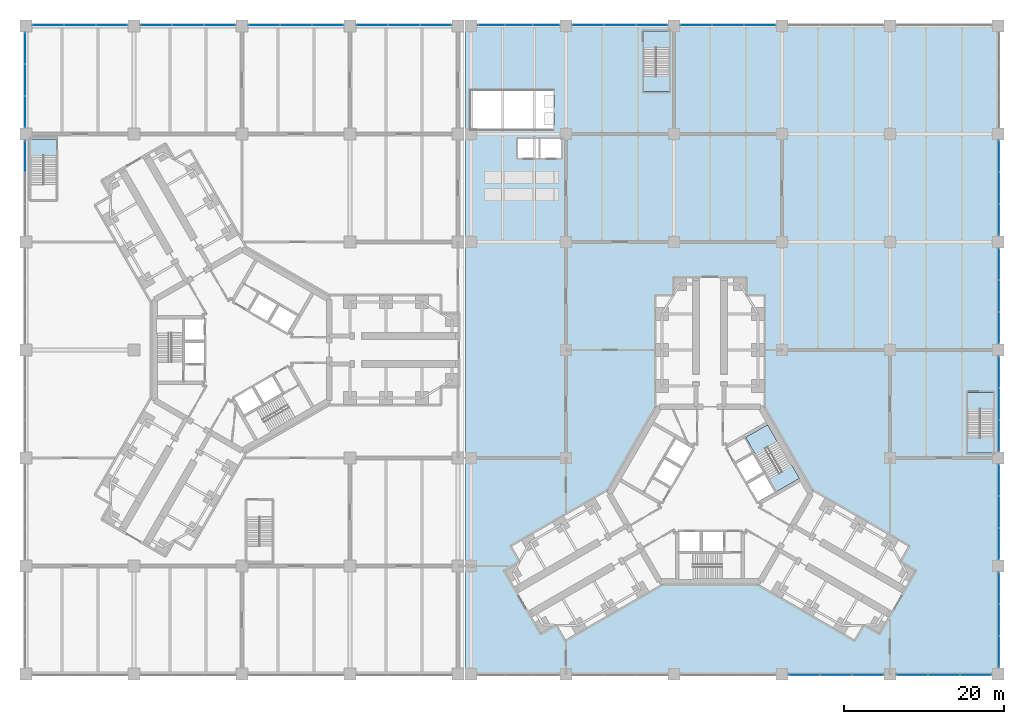
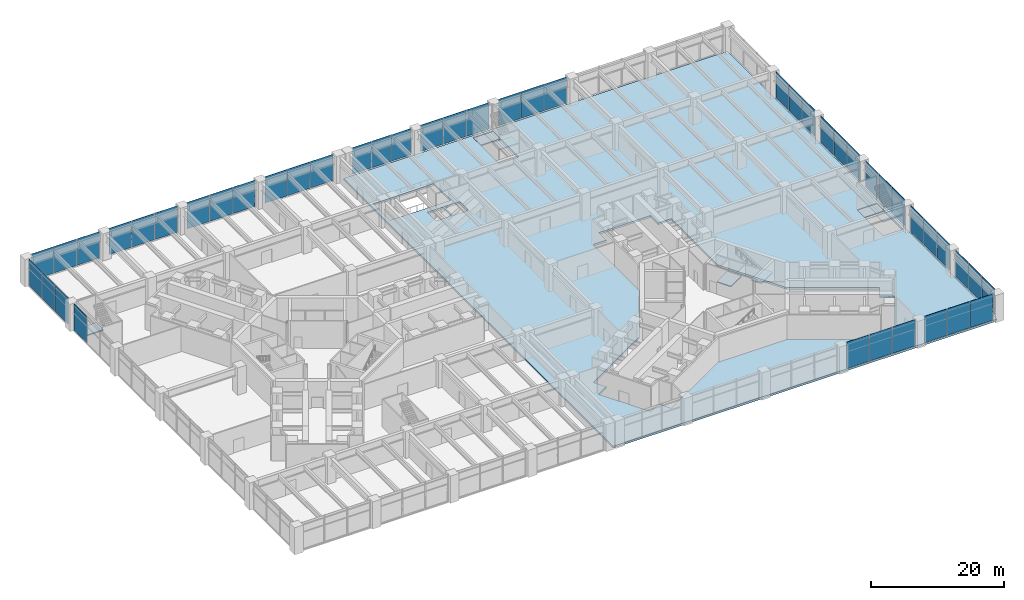
# One storey, part 19 of 32: 46 plates, 8 slabs, 20 elements without a shape of their own.
"""IFC4 building model written with IfcOpenShell, lengths in metres."""

from ifc_helpers import new_model, si_unit, direction, frame, origin, origin_2d, place, context, subcontext, project, spatial, polyline, rectangle, outline, extrude, material, layer, layer_set, type_object, element, aggregate, save


model = new_model("IFC4")

# Units and contexts
model_context = context("Model", 3, precision=1e-05, world=origin(), true_north=direction((0.0, 1.0)))
body_context = subcontext(model_context, "Body", "Model", "MODEL_VIEW")
ifc_project = project(units=[si_unit("LENGTHUNIT", "METRE"), si_unit("AREAUNIT", "SQUARE_METRE"), si_unit("VOLUMEUNIT", "CUBIC_METRE"), si_unit("PLANEANGLEUNIT", "RADIAN"), si_unit("MASSUNIT", "GRAM", prefix="KILO")], contexts=[model_context])

# Site, building, storey
site_placement = place(None, origin())
site = spatial("IfcSite", under=ifc_project, at=site_placement, CompositionType="ELEMENT")
building_placement = place(site_placement, origin())
building = spatial("IfcBuilding", under=site, at=building_placement, Name="Upepo Twin Towers", CompositionType="ELEMENT")
storey_placement = place(building_placement, frame((0.0, 0.0, 10.5)))
storey = spatial("IfcBuildingStorey", under=building, at=storey_placement, Name="L02", CompositionType="ELEMENT", Elevation=10.5)

# Curtain wall, plates
ifc_material_1 = material(Name="Aluminium and clear glass", Category="aluminium")
curtain_wall_type = type_object("IfcCurtainWallType", Name="Podium curtain wall PW1", PredefinedType="NOTDEFINED", material=ifc_material_1)
curtain_wall_1_placement = place(storey_placement, origin())
curtain_wall_1 = element("IfcCurtainWall", 1, at=curtain_wall_1_placement, inside=storey, type_object=curtain_wall_type, Name="Podium L02 curtain wall S8", PredefinedType="NOTDEFINED")
ifc_material_2 = material(Name="Ceramic-fritted laminated glass", Category="glass")
ifc_layer_1 = layer(ifc_material_2, 0.031982421875)
ifc_layer_set_1 = layer_set([ifc_layer_1], Name="Fritted glass panel, 32 mm double glazed")
plate_type_1 = type_object("IfcPlateType", Name="Fritted glass panel, 32 mm double glazed", PredefinedType="CURTAIN_PANEL", material=ifc_layer_set_1)
plate_1_placement = place(storey_placement, frame((70.28955078125, -40.60009765625, 0.14990234375), z_axis=(0.0, 0.0, 1.0), x_axis=(1.0, 0.0, 0.0)))
plate_1 = element("IfcPlate", 2, at=plate_1_placement, type_object=plate_type_1, Name="Podium L02 curtain wall S8 panel 1", PredefinedType="CURTAIN_PANEL", context=body_context, shape_type="SweptSolid", body=[
    extrude(rectangle(XDim=3.879150390625, YDim=0.031982421875, at=origin_2d()), origin(), (0.0, 0.0, 1.0), 4.85009765625),
])
plate_2_placement = place(storey_placement, frame((78.21044921875, -40.60009765625, 0.14990234375), z_axis=(0.0, 0.0, 1.0), x_axis=(1.0, 0.0, 0.0)))
plate_2 = element("IfcPlate", 3, at=plate_2_placement, type_object=plate_type_1, Name="Podium L02 curtain wall S8 panel 3", PredefinedType="CURTAIN_PANEL", context=body_context, shape_type="SweptSolid", body=[
    extrude(rectangle(XDim=3.879150390625, YDim=0.031982421875, at=origin_2d()), origin(), (0.0, 0.0, 1.0), 4.85009765625),
])

curtain_wall_2_placement = place(storey_placement, origin())
curtain_wall_2 = element("IfcCurtainWall", 4, at=curtain_wall_2_placement, inside=storey, type_object=curtain_wall_type, Name="Podium L02 curtain wall S9", PredefinedType="NOTDEFINED")
plate_3_placement = place(storey_placement, frame((83.78955078125, -40.60009765625, 0.14990234375), z_axis=(0.0, 0.0, 1.0), x_axis=(1.0, 0.0, 0.0)))
plate_3 = element("IfcPlate", 5, at=plate_3_placement, type_object=plate_type_1, Name="Podium L02 curtain wall S9 panel 1", PredefinedType="CURTAIN_PANEL", context=body_context, shape_type="SweptSolid", body=[
    extrude(rectangle(XDim=3.879150390625, YDim=0.031982421875, at=origin_2d()), origin(), (0.0, 0.0, 1.0), 4.85009765625),
])
plate_4_placement = place(storey_placement, frame((91.71044921875, -40.60009765625, 0.14990234375), z_axis=(0.0, 0.0, 1.0), x_axis=(1.0, 0.0, 0.0)))
plate_4 = element("IfcPlate", 6, at=plate_4_placement, type_object=plate_type_1, Name="Podium L02 curtain wall S9 panel 3", PredefinedType="CURTAIN_PANEL", context=body_context, shape_type="SweptSolid", body=[
    extrude(rectangle(XDim=3.879150390625, YDim=0.031982421875, at=origin_2d()), origin(), (0.0, 0.0, 1.0), 4.85009765625),
])

curtain_wall_3_placement = place(storey_placement, origin())
curtain_wall_3 = element("IfcCurtainWall", 7, at=curtain_wall_3_placement, inside=storey, type_object=curtain_wall_type, Name="Podium L02 curtain wall E1", PredefinedType="NOTDEFINED")
plate_5_placement = place(storey_placement, frame((94.60009765625, -37.71044921875, 0.14990234375), z_axis=(0.0, 0.0, 1.0), x_axis=(0.0, 1.0, 0.0)))
plate_5 = element("IfcPlate", 8, at=plate_5_placement, type_object=plate_type_1, Name="Podium L02 curtain wall E1 panel 1", PredefinedType="CURTAIN_PANEL", context=body_context, shape_type="SweptSolid", body=[
    extrude(rectangle(XDim=3.879150390625, YDim=0.031982421875, at=origin_2d()), origin(), (0.0, 0.0, 1.0), 4.85009765625),
])
plate_6_placement = place(storey_placement, frame((94.60009765625, -29.78955078125, 0.14990234375), z_axis=(0.0, 0.0, 1.0), x_axis=(0.0, 1.0, 0.0)))
plate_6 = element("IfcPlate", 9, at=plate_6_placement, type_object=plate_type_1, Name="Podium L02 curtain wall E1 panel 3", PredefinedType="CURTAIN_PANEL", context=body_context, shape_type="SweptSolid", body=[
    extrude(rectangle(XDim=3.879150390625, YDim=0.031982421875, at=origin_2d()), origin(), (0.0, 0.0, 1.0), 4.85009765625),
])

curtain_wall_4_placement = place(storey_placement, origin())
curtain_wall_4 = element("IfcCurtainWall", 10, at=curtain_wall_4_placement, inside=storey, type_object=curtain_wall_type, Name="Podium L02 curtain wall E2", PredefinedType="NOTDEFINED")
plate_7_placement = place(storey_placement, frame((94.60009765625, -24.21044921875, 0.14990234375), z_axis=(0.0, 0.0, 1.0), x_axis=(0.0, 1.0, 0.0)))
plate_7 = element("IfcPlate", 11, at=plate_7_placement, type_object=plate_type_1, Name="Podium L02 curtain wall E2 panel 1", PredefinedType="CURTAIN_PANEL", context=body_context, shape_type="SweptSolid", body=[
    extrude(rectangle(XDim=3.879150390625, YDim=0.031982421875, at=origin_2d()), origin(), (0.0, 0.0, 1.0), 4.85009765625),
])
plate_8_placement = place(storey_placement, frame((94.60009765625, -16.28955078125, 0.14990234375), z_axis=(0.0, 0.0, 1.0), x_axis=(0.0, 1.0, 0.0)))
plate_8 = element("IfcPlate", 12, at=plate_8_placement, type_object=plate_type_1, Name="Podium L02 curtain wall E2 panel 3", PredefinedType="CURTAIN_PANEL", context=body_context, shape_type="SweptSolid", body=[
    extrude(rectangle(XDim=3.879150390625, YDim=0.031982421875, at=origin_2d()), origin(), (0.0, 0.0, 1.0), 4.85009765625),
])

curtain_wall_5_placement = place(storey_placement, origin())
curtain_wall_5 = element("IfcCurtainWall", 13, at=curtain_wall_5_placement, inside=storey, type_object=curtain_wall_type, Name="Podium L02 curtain wall E3", PredefinedType="NOTDEFINED")
plate_9_placement = place(storey_placement, frame((94.60009765625, -10.71044921875, 0.14990234375), z_axis=(0.0, 0.0, 1.0), x_axis=(0.0, 1.0, 0.0)))
plate_9 = element("IfcPlate", 14, at=plate_9_placement, type_object=plate_type_1, Name="Podium L02 curtain wall E3 panel 1", PredefinedType="CURTAIN_PANEL", context=body_context, shape_type="SweptSolid", body=[
    extrude(rectangle(XDim=3.879150390625, YDim=0.031982421875, at=origin_2d()), origin(), (0.0, 0.0, 1.0), 4.85009765625),
])
plate_10_placement = place(storey_placement, frame((94.60009765625, -2.78955078125, 0.14990234375), z_axis=(0.0, 0.0, 1.0), x_axis=(0.0, 1.0, 0.0)))
plate_10 = element("IfcPlate", 15, at=plate_10_placement, type_object=plate_type_1, Name="Podium L02 curtain wall E3 panel 3", PredefinedType="CURTAIN_PANEL", context=body_context, shape_type="SweptSolid", body=[
    extrude(rectangle(XDim=3.879150390625, YDim=0.031982421875, at=origin_2d()), origin(), (0.0, 0.0, 1.0), 4.85009765625),
])

curtain_wall_6_placement = place(storey_placement, origin())
curtain_wall_6 = element("IfcCurtainWall", 16, at=curtain_wall_6_placement, inside=storey, type_object=curtain_wall_type, Name="Podium L02 curtain wall E4", PredefinedType="NOTDEFINED")
plate_11_placement = place(storey_placement, frame((94.60009765625, 2.78955078125, 0.14990234375), z_axis=(0.0, 0.0, 1.0), x_axis=(0.0, 1.0, 0.0)))
plate_11 = element("IfcPlate", 17, at=plate_11_placement, type_object=plate_type_1, Name="Podium L02 curtain wall E4 panel 1", PredefinedType="CURTAIN_PANEL", context=body_context, shape_type="SweptSolid", body=[
    extrude(rectangle(XDim=3.879150390625, YDim=0.031982421875, at=origin_2d()), origin(), (0.0, 0.0, 1.0), 4.85009765625),
])
plate_12_placement = place(storey_placement, frame((94.60009765625, 10.71044921875, 0.14990234375), z_axis=(0.0, 0.0, 1.0), x_axis=(0.0, 1.0, 0.0)))
plate_12 = element("IfcPlate", 18, at=plate_12_placement, type_object=plate_type_1, Name="Podium L02 curtain wall E4 panel 3", PredefinedType="CURTAIN_PANEL", context=body_context, shape_type="SweptSolid", body=[
    extrude(rectangle(XDim=3.879150390625, YDim=0.031982421875, at=origin_2d()), origin(), (0.0, 0.0, 1.0), 4.85009765625),
])

curtain_wall_7_placement = place(storey_placement, origin())
curtain_wall_7 = element("IfcCurtainWall", 19, at=curtain_wall_7_placement, inside=storey, type_object=curtain_wall_type, Name="Podium L02 curtain wall E5", PredefinedType="NOTDEFINED")
plate_13_placement = place(storey_placement, frame((94.60009765625, 16.28955078125, 0.14990234375), z_axis=(0.0, 0.0, 1.0), x_axis=(0.0, 1.0, 0.0)))
plate_13 = element("IfcPlate", 20, at=plate_13_placement, type_object=plate_type_1, Name="Podium L02 curtain wall E5 panel 1", PredefinedType="CURTAIN_PANEL", context=body_context, shape_type="SweptSolid", body=[
    extrude(rectangle(XDim=3.879150390625, YDim=0.031982421875, at=origin_2d()), origin(), (0.0, 0.0, 1.0), 4.85009765625),
])
plate_14_placement = place(storey_placement, frame((94.60009765625, 24.21044921875, 0.14990234375), z_axis=(0.0, 0.0, 1.0), x_axis=(0.0, 1.0, 0.0)))
plate_14 = element("IfcPlate", 21, at=plate_14_placement, type_object=plate_type_1, Name="Podium L02 curtain wall E5 panel 3", PredefinedType="CURTAIN_PANEL", context=body_context, shape_type="SweptSolid", body=[
    extrude(rectangle(XDim=3.879150390625, YDim=0.031982421875, at=origin_2d()), origin(), (0.0, 0.0, 1.0), 4.85009765625),
])

curtain_wall_8_placement = place(storey_placement, origin())
curtain_wall_8 = element("IfcCurtainWall", 22, at=curtain_wall_8_placement, inside=storey, type_object=curtain_wall_type, Name="Podium L02 curtain wall N3", PredefinedType="NOTDEFINED")
plate_15_placement = place(storey_placement, frame((64.71044921875, 40.60009765625, 0.14990234375), z_axis=(0.0, 0.0, 1.0), x_axis=(-1.0, 0.0, 0.0)))
plate_15 = element("IfcPlate", 23, at=plate_15_placement, type_object=plate_type_1, Name="Podium L02 curtain wall N3 panel 1", PredefinedType="CURTAIN_PANEL", context=body_context, shape_type="SweptSolid", body=[
    extrude(rectangle(XDim=3.879150390625, YDim=0.031982421875, at=origin_2d()), origin(), (0.0, 0.0, 1.0), 4.85009765625),
])
plate_16_placement = place(storey_placement, frame((56.78955078125, 40.60009765625, 0.14990234375), z_axis=(0.0, 0.0, 1.0), x_axis=(-1.0, 0.0, 0.0)))
plate_16 = element("IfcPlate", 24, at=plate_16_placement, type_object=plate_type_1, Name="Podium L02 curtain wall N3 panel 3", PredefinedType="CURTAIN_PANEL", context=body_context, shape_type="SweptSolid", body=[
    extrude(rectangle(XDim=3.879150390625, YDim=0.031982421875, at=origin_2d()), origin(), (0.0, 0.0, 1.0), 4.85009765625),
])

curtain_wall_9_placement = place(storey_placement, origin())
curtain_wall_9 = element("IfcCurtainWall", 25, at=curtain_wall_9_placement, inside=storey, type_object=curtain_wall_type, Name="Podium L02 curtain wall N4", PredefinedType="NOTDEFINED")
plate_17_placement = place(storey_placement, frame((51.21044921875, 40.60009765625, 0.14990234375), z_axis=(0.0, 0.0, 1.0), x_axis=(-1.0, 0.0, 0.0)))
plate_17 = element("IfcPlate", 26, at=plate_17_placement, type_object=plate_type_1, Name="Podium L02 curtain wall N4 panel 1", PredefinedType="CURTAIN_PANEL", context=body_context, shape_type="SweptSolid", body=[
    extrude(rectangle(XDim=3.879150390625, YDim=0.031982421875, at=origin_2d()), origin(), (0.0, 0.0, 1.0), 4.85009765625),
])
plate_18_placement = place(storey_placement, frame((43.28955078125, 40.60009765625, 0.14990234375), z_axis=(0.0, 0.0, 1.0), x_axis=(-1.0, 0.0, 0.0)))
plate_18 = element("IfcPlate", 27, at=plate_18_placement, type_object=plate_type_1, Name="Podium L02 curtain wall N4 panel 3", PredefinedType="CURTAIN_PANEL", context=body_context, shape_type="SweptSolid", body=[
    extrude(rectangle(XDim=3.879150390625, YDim=0.031982421875, at=origin_2d()), origin(), (0.0, 0.0, 1.0), 4.85009765625),
])

curtain_wall_10_placement = place(storey_placement, origin())
curtain_wall_10 = element("IfcCurtainWall", 28, at=curtain_wall_10_placement, inside=storey, type_object=curtain_wall_type, Name="Podium L02 curtain wall N5", PredefinedType="NOTDEFINED")
plate_19_placement = place(storey_placement, frame((37.9853515625, 40.60009765625, 0.14990234375), z_axis=(0.0, 0.0, 1.0), x_axis=(-1.0, 0.0, 0.0)))
plate_19 = element("IfcPlate", 29, at=plate_19_placement, type_object=plate_type_1, Name="Podium L02 curtain wall N5 panel 1", PredefinedType="CURTAIN_PANEL", context=body_context, shape_type="SweptSolid", body=[
    extrude(rectangle(XDim=3.3291015625, YDim=0.031982421875, at=origin_2d()), origin(), (0.0, 0.0, 1.0), 4.85009765625),
])
plate_20_placement = place(storey_placement, frame((31.16455078125, 40.60009765625, 0.14990234375), z_axis=(0.0, 0.0, 1.0), x_axis=(-1.0, 0.0, 0.0)))
plate_20 = element("IfcPlate", 30, at=plate_20_placement, type_object=plate_type_1, Name="Podium L02 curtain wall N5 panel 3", PredefinedType="CURTAIN_PANEL", context=body_context, shape_type="SweptSolid", body=[
    extrude(rectangle(XDim=3.3291015625, YDim=0.031982421875, at=origin_2d()), origin(), (0.0, 0.0, 1.0), 4.85009765625),
])

curtain_wall_11_placement = place(storey_placement, origin())
curtain_wall_11 = element("IfcCurtainWall", 31, at=curtain_wall_11_placement, inside=storey, type_object=curtain_wall_type, Name="Podium L02 curtain wall N6", PredefinedType="NOTDEFINED")
plate_21_placement = place(storey_placement, frame((24.21044921875, 40.60009765625, 0.14990234375), z_axis=(0.0, 0.0, 1.0), x_axis=(-1.0, 0.0, 0.0)))
plate_21 = element("IfcPlate", 32, at=plate_21_placement, type_object=plate_type_1, Name="Podium L02 curtain wall N6 panel 1", PredefinedType="CURTAIN_PANEL", context=body_context, shape_type="SweptSolid", body=[
    extrude(rectangle(XDim=3.879150390625, YDim=0.031982421875, at=origin_2d()), origin(), (0.0, 0.0, 1.0), 4.85009765625),
])
plate_22_placement = place(storey_placement, frame((16.28955078125, 40.60009765625, 0.14990234375), z_axis=(0.0, 0.0, 1.0), x_axis=(-1.0, 0.0, 0.0)))
plate_22 = element("IfcPlate", 33, at=plate_22_placement, type_object=plate_type_1, Name="Podium L02 curtain wall N6 panel 3", PredefinedType="CURTAIN_PANEL", context=body_context, shape_type="SweptSolid", body=[
    extrude(rectangle(XDim=3.879150390625, YDim=0.031982421875, at=origin_2d()), origin(), (0.0, 0.0, 1.0), 4.85009765625),
])

curtain_wall_12_placement = place(storey_placement, origin())
curtain_wall_12 = element("IfcCurtainWall", 34, at=curtain_wall_12_placement, inside=storey, type_object=curtain_wall_type, Name="Podium L02 curtain wall N7", PredefinedType="NOTDEFINED")
plate_23_placement = place(storey_placement, frame((10.71044921875, 40.60009765625, 0.14990234375), z_axis=(0.0, 0.0, 1.0), x_axis=(-1.0, 0.0, 0.0)))
plate_23 = element("IfcPlate", 35, at=plate_23_placement, type_object=plate_type_1, Name="Podium L02 curtain wall N7 panel 1", PredefinedType="CURTAIN_PANEL", context=body_context, shape_type="SweptSolid", body=[
    extrude(rectangle(XDim=3.879150390625, YDim=0.031982421875, at=origin_2d()), origin(), (0.0, 0.0, 1.0), 4.85009765625),
])
plate_24_placement = place(storey_placement, frame((2.78955078125, 40.60009765625, 0.14990234375), z_axis=(0.0, 0.0, 1.0), x_axis=(-1.0, 0.0, 0.0)))
plate_24 = element("IfcPlate", 36, at=plate_24_placement, type_object=plate_type_1, Name="Podium L02 curtain wall N7 panel 3", PredefinedType="CURTAIN_PANEL", context=body_context, shape_type="SweptSolid", body=[
    extrude(rectangle(XDim=3.879150390625, YDim=0.031982421875, at=origin_2d()), origin(), (0.0, 0.0, 1.0), 4.85009765625),
])

curtain_wall_13_placement = place(storey_placement, origin())
curtain_wall_13 = element("IfcCurtainWall", 37, at=curtain_wall_13_placement, inside=storey, type_object=curtain_wall_type, Name="Podium L02 curtain wall N8", PredefinedType="NOTDEFINED")
plate_25_placement = place(storey_placement, frame((-2.78955078125, 40.60009765625, 0.14990234375), z_axis=(0.0, 0.0, 1.0), x_axis=(-1.0, 0.0, 0.0)))
plate_25 = element("IfcPlate", 38, at=plate_25_placement, type_object=plate_type_1, Name="Podium L02 curtain wall N8 panel 1", PredefinedType="CURTAIN_PANEL", context=body_context, shape_type="SweptSolid", body=[
    extrude(rectangle(XDim=3.879150390625, YDim=0.031982421875, at=origin_2d()), origin(), (0.0, 0.0, 1.0), 4.85009765625),
])
plate_26_placement = place(storey_placement, frame((-10.71044921875, 40.60009765625, 0.14990234375), z_axis=(0.0, 0.0, 1.0), x_axis=(-1.0, 0.0, 0.0)))
plate_26 = element("IfcPlate", 39, at=plate_26_placement, type_object=plate_type_1, Name="Podium L02 curtain wall N8 panel 3", PredefinedType="CURTAIN_PANEL", context=body_context, shape_type="SweptSolid", body=[
    extrude(rectangle(XDim=3.879150390625, YDim=0.031982421875, at=origin_2d()), origin(), (0.0, 0.0, 1.0), 4.85009765625),
])

curtain_wall_14_placement = place(storey_placement, origin())
curtain_wall_14 = element("IfcCurtainWall", 40, at=curtain_wall_14_placement, inside=storey, type_object=curtain_wall_type, Name="Podium L02 curtain wall N9", PredefinedType="NOTDEFINED")
plate_27_placement = place(storey_placement, frame((-16.28955078125, 40.60009765625, 0.14990234375), z_axis=(0.0, 0.0, 1.0), x_axis=(-1.0, 0.0, 0.0)))
plate_27 = element("IfcPlate", 41, at=plate_27_placement, type_object=plate_type_1, Name="Podium L02 curtain wall N9 panel 1", PredefinedType="CURTAIN_PANEL", context=body_context, shape_type="SweptSolid", body=[
    extrude(rectangle(XDim=3.879150390625, YDim=0.031982421875, at=origin_2d()), origin(), (0.0, 0.0, 1.0), 4.85009765625),
])
plate_28_placement = place(storey_placement, frame((-24.21044921875, 40.60009765625, 0.14990234375), z_axis=(0.0, 0.0, 1.0), x_axis=(-1.0, 0.0, 0.0)))
plate_28 = element("IfcPlate", 42, at=plate_28_placement, type_object=plate_type_1, Name="Podium L02 curtain wall N9 panel 3", PredefinedType="CURTAIN_PANEL", context=body_context, shape_type="SweptSolid", body=[
    extrude(rectangle(XDim=3.879150390625, YDim=0.031982421875, at=origin_2d()), origin(), (0.0, 0.0, 1.0), 4.85009765625),
])

curtain_wall_15_placement = place(storey_placement, origin())
curtain_wall_15 = element("IfcCurtainWall", 43, at=curtain_wall_15_placement, inside=storey, type_object=curtain_wall_type, Name="Podium L02 curtain wall W1", PredefinedType="NOTDEFINED")
plate_29_placement = place(storey_placement, frame((-27.10009765625, 37.71044921875, 0.14990234375), z_axis=(0.0, 0.0, 1.0), x_axis=(0.0, -1.0, 0.0)))
plate_29 = element("IfcPlate", 44, at=plate_29_placement, type_object=plate_type_1, Name="Podium L02 curtain wall W1 panel 1", PredefinedType="CURTAIN_PANEL", context=body_context, shape_type="SweptSolid", body=[
    extrude(rectangle(XDim=3.879150390625, YDim=0.031982421875, at=origin_2d()), origin(), (0.0, 0.0, 1.0), 4.85009765625),
])
plate_30_placement = place(storey_placement, frame((-27.10009765625, 29.78955078125, 0.14990234375), z_axis=(0.0, 0.0, 1.0), x_axis=(0.0, -1.0, 0.0)))
plate_30 = element("IfcPlate", 45, at=plate_30_placement, type_object=plate_type_1, Name="Podium L02 curtain wall W1 panel 3", PredefinedType="CURTAIN_PANEL", context=body_context, shape_type="SweptSolid", body=[
    extrude(rectangle(XDim=3.879150390625, YDim=0.031982421875, at=origin_2d()), origin(), (0.0, 0.0, 1.0), 4.85009765625),
])

# Curtain wall, plate
curtain_wall_16_placement = place(storey_placement, origin())
curtain_wall_16 = element("IfcCurtainWall", 46, at=curtain_wall_16_placement, inside=storey, type_object=curtain_wall_type, Name="Podium L02 curtain wall W2", PredefinedType="NOTDEFINED")
plate_31_placement = place(storey_placement, frame((-27.10009765625, 24.21044921875, 0.14990234375), z_axis=(0.0, 0.0, 1.0), x_axis=(0.0, -1.0, 0.0)))
plate_31 = element("IfcPlate", 47, at=plate_31_placement, type_object=plate_type_1, Name="Podium L02 curtain wall W2 panel 1", PredefinedType="CURTAIN_PANEL", context=body_context, shape_type="SweptSolid", body=[
    extrude(rectangle(XDim=3.879150390625, YDim=0.031982421875, at=origin_2d()), origin(), (0.0, 0.0, 1.0), 4.85009765625),
])
aggregate(curtain_wall_16, [plate_31])

# Plate
ifc_material_3 = material(Name="Clear laminated glass in opening sash", Category="glass")
ifc_layer_2 = layer(ifc_material_3, 0.031982421875)
ifc_layer_set_2 = layer_set([ifc_layer_2], Name="Operable glass panel, 32 mm double glazed")
plate_type_2 = type_object("IfcPlateType", Name="Operable glass panel, 32 mm double glazed", PredefinedType="CURTAIN_PANEL", material=ifc_layer_set_2)
plate_32_placement = place(storey_placement, frame((74.25, -40.60009765625, 0.14990234375), z_axis=(0.0, 0.0, 1.0), x_axis=(1.0, 0.0, 0.0)))
plate_32 = element("IfcPlate", 48, at=plate_32_placement, type_object=plate_type_2, Name="Podium L02 curtain wall S8 panel 2", PredefinedType="CURTAIN_PANEL", context=body_context, shape_type="SweptSolid", body=[
    extrude(rectangle(XDim=3.91162109375, YDim=0.031982421875, at=origin_2d()), origin(), (0.0, 0.0, 1.0), 4.85009765625),
])

aggregate(curtain_wall_1, [plate_1, plate_32, plate_2])

plate_33_placement = place(storey_placement, frame((87.75, -40.60009765625, 0.14990234375), z_axis=(0.0, 0.0, 1.0), x_axis=(1.0, 0.0, 0.0)))
plate_33 = element("IfcPlate", 49, at=plate_33_placement, type_object=plate_type_2, Name="Podium L02 curtain wall S9 panel 2", PredefinedType="CURTAIN_PANEL", context=body_context, shape_type="SweptSolid", body=[
    extrude(rectangle(XDim=3.91162109375, YDim=0.031982421875, at=origin_2d()), origin(), (0.0, 0.0, 1.0), 4.85009765625),
])

aggregate(curtain_wall_2, [plate_3, plate_33, plate_4])

plate_34_placement = place(storey_placement, frame((94.60009765625, -33.75, 0.14990234375), z_axis=(0.0, 0.0, 1.0), x_axis=(0.0, 1.0, 0.0)))
plate_34 = element("IfcPlate", 50, at=plate_34_placement, type_object=plate_type_2, Name="Podium L02 curtain wall E1 panel 2", PredefinedType="CURTAIN_PANEL", context=body_context, shape_type="SweptSolid", body=[
    extrude(rectangle(XDim=3.91162109375, YDim=0.031982421875, at=origin_2d()), origin(), (0.0, 0.0, 1.0), 4.85009765625),
])

aggregate(curtain_wall_3, [plate_5, plate_34, plate_6])

plate_35_placement = place(storey_placement, frame((94.60009765625, -20.25, 0.14990234375), z_axis=(0.0, 0.0, 1.0), x_axis=(0.0, 1.0, 0.0)))
plate_35 = element("IfcPlate", 51, at=plate_35_placement, type_object=plate_type_2, Name="Podium L02 curtain wall E2 panel 2", PredefinedType="CURTAIN_PANEL", context=body_context, shape_type="SweptSolid", body=[
    extrude(rectangle(XDim=3.91162109375, YDim=0.031982421875, at=origin_2d()), origin(), (0.0, 0.0, 1.0), 4.85009765625),
])

aggregate(curtain_wall_4, [plate_7, plate_35, plate_8])

plate_36_placement = place(storey_placement, frame((94.60009765625, -6.75, 0.14990234375), z_axis=(0.0, 0.0, 1.0), x_axis=(0.0, 1.0, 0.0)))
plate_36 = element("IfcPlate", 52, at=plate_36_placement, type_object=plate_type_2, Name="Podium L02 curtain wall E3 panel 2", PredefinedType="CURTAIN_PANEL", context=body_context, shape_type="SweptSolid", body=[
    extrude(rectangle(XDim=3.91162109375, YDim=0.031982421875, at=origin_2d()), origin(), (0.0, 0.0, 1.0), 4.85009765625),
])

aggregate(curtain_wall_5, [plate_9, plate_36, plate_10])

plate_37_placement = place(storey_placement, frame((94.60009765625, 6.75, 0.14990234375), z_axis=(0.0, 0.0, 1.0), x_axis=(0.0, 1.0, 0.0)))
plate_37 = element("IfcPlate", 53, at=plate_37_placement, type_object=plate_type_2, Name="Podium L02 curtain wall E4 panel 2", PredefinedType="CURTAIN_PANEL", context=body_context, shape_type="SweptSolid", body=[
    extrude(rectangle(XDim=3.91162109375, YDim=0.031982421875, at=origin_2d()), origin(), (0.0, 0.0, 1.0), 4.85009765625),
])

aggregate(curtain_wall_6, [plate_11, plate_37, plate_12])

plate_38_placement = place(storey_placement, frame((94.60009765625, 20.25, 0.14990234375), z_axis=(0.0, 0.0, 1.0), x_axis=(0.0, 1.0, 0.0)))
plate_38 = element("IfcPlate", 54, at=plate_38_placement, type_object=plate_type_2, Name="Podium L02 curtain wall E5 panel 2", PredefinedType="CURTAIN_PANEL", context=body_context, shape_type="SweptSolid", body=[
    extrude(rectangle(XDim=3.91162109375, YDim=0.031982421875, at=origin_2d()), origin(), (0.0, 0.0, 1.0), 4.85009765625),
])

aggregate(curtain_wall_7, [plate_13, plate_38, plate_14])

plate_39_placement = place(storey_placement, frame((60.75, 40.60009765625, 0.14990234375), z_axis=(0.0, 0.0, 1.0), x_axis=(-1.0, 0.0, 0.0)))
plate_39 = element("IfcPlate", 55, at=plate_39_placement, type_object=plate_type_2, Name="Podium L02 curtain wall N3 panel 2", PredefinedType="CURTAIN_PANEL", context=body_context, shape_type="SweptSolid", body=[
    extrude(rectangle(XDim=3.91162109375, YDim=0.031982421875, at=origin_2d()), origin(), (0.0, 0.0, 1.0), 4.85009765625),
])

aggregate(curtain_wall_8, [plate_15, plate_39, plate_16])

plate_40_placement = place(storey_placement, frame((47.25, 40.60009765625, 0.14990234375), z_axis=(0.0, 0.0, 1.0), x_axis=(-1.0, 0.0, 0.0)))
plate_40 = element("IfcPlate", 56, at=plate_40_placement, type_object=plate_type_2, Name="Podium L02 curtain wall N4 panel 2", PredefinedType="CURTAIN_PANEL", context=body_context, shape_type="SweptSolid", body=[
    extrude(rectangle(XDim=3.91162109375, YDim=0.031982421875, at=origin_2d()), origin(), (0.0, 0.0, 1.0), 4.85009765625),
])

aggregate(curtain_wall_9, [plate_17, plate_40, plate_18])

plate_41_placement = place(storey_placement, frame((34.574951171875, 40.60009765625, 0.14990234375), z_axis=(0.0, 0.0, 1.0), x_axis=(-1.0, 0.0, 0.0)))
plate_41 = element("IfcPlate", 57, at=plate_41_placement, type_object=plate_type_2, Name="Podium L02 curtain wall N5 panel 2", PredefinedType="CURTAIN_PANEL", context=body_context, shape_type="SweptSolid", body=[
    extrude(rectangle(XDim=3.361572265625, YDim=0.031982421875, at=origin_2d()), origin(), (0.0, 0.0, 1.0), 4.85009765625),
])

aggregate(curtain_wall_10, [plate_19, plate_41, plate_20])

plate_42_placement = place(storey_placement, frame((20.25, 40.60009765625, 0.14990234375), z_axis=(0.0, 0.0, 1.0), x_axis=(-1.0, 0.0, 0.0)))
plate_42 = element("IfcPlate", 58, at=plate_42_placement, type_object=plate_type_2, Name="Podium L02 curtain wall N6 panel 2", PredefinedType="CURTAIN_PANEL", context=body_context, shape_type="SweptSolid", body=[
    extrude(rectangle(XDim=3.91162109375, YDim=0.031982421875, at=origin_2d()), origin(), (0.0, 0.0, 1.0), 4.85009765625),
])

aggregate(curtain_wall_11, [plate_21, plate_42, plate_22])

plate_43_placement = place(storey_placement, frame((6.75, 40.60009765625, 0.14990234375), z_axis=(0.0, 0.0, 1.0), x_axis=(-1.0, 0.0, 0.0)))
plate_43 = element("IfcPlate", 59, at=plate_43_placement, type_object=plate_type_2, Name="Podium L02 curtain wall N7 panel 2", PredefinedType="CURTAIN_PANEL", context=body_context, shape_type="SweptSolid", body=[
    extrude(rectangle(XDim=3.91162109375, YDim=0.031982421875, at=origin_2d()), origin(), (0.0, 0.0, 1.0), 4.85009765625),
])

aggregate(curtain_wall_12, [plate_23, plate_43, plate_24])

plate_44_placement = place(storey_placement, frame((-6.75, 40.60009765625, 0.14990234375), z_axis=(0.0, 0.0, 1.0), x_axis=(-1.0, 0.0, 0.0)))
plate_44 = element("IfcPlate", 60, at=plate_44_placement, type_object=plate_type_2, Name="Podium L02 curtain wall N8 panel 2", PredefinedType="CURTAIN_PANEL", context=body_context, shape_type="SweptSolid", body=[
    extrude(rectangle(XDim=3.91162109375, YDim=0.031982421875, at=origin_2d()), origin(), (0.0, 0.0, 1.0), 4.85009765625),
])

aggregate(curtain_wall_13, [plate_25, plate_44, plate_26])

plate_45_placement = place(storey_placement, frame((-20.25, 40.60009765625, 0.14990234375), z_axis=(0.0, 0.0, 1.0), x_axis=(-1.0, 0.0, 0.0)))
plate_45 = element("IfcPlate", 61, at=plate_45_placement, type_object=plate_type_2, Name="Podium L02 curtain wall N9 panel 2", PredefinedType="CURTAIN_PANEL", context=body_context, shape_type="SweptSolid", body=[
    extrude(rectangle(XDim=3.91162109375, YDim=0.031982421875, at=origin_2d()), origin(), (0.0, 0.0, 1.0), 4.85009765625),
])

aggregate(curtain_wall_14, [plate_27, plate_45, plate_28])

plate_46_placement = place(storey_placement, frame((-27.10009765625, 33.75, 0.14990234375), z_axis=(0.0, 0.0, 1.0), x_axis=(0.0, -1.0, 0.0)))
plate_46 = element("IfcPlate", 62, at=plate_46_placement, type_object=plate_type_2, Name="Podium L02 curtain wall W1 panel 2", PredefinedType="CURTAIN_PANEL", context=body_context, shape_type="SweptSolid", body=[
    extrude(rectangle(XDim=3.91162109375, YDim=0.031982421875, at=origin_2d()), origin(), (0.0, 0.0, 1.0), 4.85009765625),
])

aggregate(curtain_wall_15, [plate_29, plate_46, plate_30])

# Slab
ifc_material_4 = material(Name="Concrete C40/50", Category="concrete")
ifc_layer_3 = layer(ifc_material_4, 0.35009765625)
ifc_layer_set_3 = layer_set([ifc_layer_3], Name="Concrete C40/50")
slab_type_1 = type_object("IfcSlabType", Name="Podium floor slab 350 RC", PredefinedType="FLOOR", material=ifc_layer_set_3)
slab_1_placement = place(storey_placement, frame((0.0, 0.0, -0.35009765625)))
element("IfcSlab", 63, at=slab_1_placement, inside=storey, type_object=slab_type_1, Name="L02 podium floor slab east", PredefinedType="FLOOR", context=body_context, shape_type="SweptSolid", body=[
    extrude(outline(polyline([(94.5, -40.5), (27.89990234375, -40.5), (27.89990234375, 40.5), (94.5, 40.5), (94.5, -40.5)]), holes=[polyline([(82.18408203125, -26.477783203125), (84.132568359375, -27.602783203125), (79.632568359375, -35.397216796875), (77.68408203125, -34.272216796875), (76.55908203125, -36.220703125), (64.5, -29.25830078125), (52.5, -29.25830078125), (40.44091796875, -36.220703125), (39.31591796875, -34.272216796875), (37.367431640625, -35.397216796875), (32.867431640625, -27.602783203125), (34.81591796875, -26.477783203125), (33.69091796875, -24.529296875), (45.75, -17.56689453125), (51.75, -7.174560546875), (51.75, 6.75), (54.0, 6.75), (54.0, 9.0), (63.0, 9.0), (63.0, 6.75), (65.25, 6.75), (65.25, -7.174560546875), (71.25, -17.56689453125), (83.30908203125, -24.529296875), (82.18408203125, -26.477783203125)]), polyline([(94.0, -13.0), (94.0, -5.199951171875), (90.60009765625, -5.199951171875), (90.60009765625, -13.0), (94.0, -13.0)]), polyline([(53.5, 32.199951171875), (53.5, 40.0), (50.10009765625, 40.0), (50.10009765625, 32.199951171875), (53.5, 32.199951171875)]), polyline([(40.0, 23.89990234375), (40.0, 26.5), (37.300048828125, 26.5), (37.300048828125, 23.89990234375), (40.0, 23.89990234375)]), polyline([(37.10009765625, 23.89990234375), (37.10009765625, 26.5), (34.39990234375, 26.5), (34.39990234375, 23.89990234375), (37.10009765625, 23.89990234375)]), polyline([(39.0, 27.5), (39.0, 32.5), (28.5, 32.5), (28.5, 27.5), (39.0, 27.5)])]), origin(), (0.0, 0.0, 1.0), 0.35009765625),
])

# Stair, slabs
ifc_material_5 = material(Name="Concrete C40/50", Category="concrete")
stair_type_1 = type_object("IfcStairType", Name="Core stair, two flights", PredefinedType="HALF_TURN_STAIR", material=ifc_material_5)
stair_1_placement = place(storey_placement, origin())
stair_1 = element("IfcStair", 64, at=stair_1_placement, inside=storey, type_object=stair_type_1, Name="T2 stair S2 L02", PredefinedType="HALF_TURN_STAIR")
ifc_material_6 = material(Name="Concrete C40/50", Category="concrete")
ifc_layer_4 = layer(ifc_material_6, 0.199951171875)
ifc_layer_set_4 = layer_set([ifc_layer_4], Name="Concrete C40/50")
slab_type_2 = type_object("IfcSlabType", Name="Stair landing 200 RC", PredefinedType="LANDING", material=ifc_layer_set_4)
slab_2_placement = place(storey_placement, frame((0.0, 0.0, -0.199951171875)))
slab_2 = element("IfcSlab", 65, at=slab_2_placement, type_object=slab_type_2, Name="Stair S2 landing 1", PredefinedType="LANDING", context=body_context, shape_type="SweptSolid", body=[
    extrude(outline(polyline([(64.198486328125, -13.0703125), (66.933837890625, -11.490966796875), (65.69384765625, -9.34326171875), (62.95849609375, -10.922607421875), (64.198486328125, -13.0703125)])), origin(), (0.0, 0.0, 1.0), 0.199951171875),
])
slab_3_placement = place(storey_placement, frame((0.0, 0.0, 2.300048828125)))
slab_3 = element("IfcSlab", 66, at=slab_3_placement, type_object=slab_type_2, Name="Stair S2 landing 2", PredefinedType="LANDING", context=body_context, shape_type="SweptSolid", body=[
    extrude(outline(polyline([(66.77197265625, -17.7275390625), (69.680419921875, -16.04833984375), (68.740478515625, -14.420166015625), (65.83203125, -16.099365234375), (66.77197265625, -17.7275390625)])), origin(), (0.0, 0.0, 1.0), 0.199951171875),
])
aggregate(stair_1, [slab_2, slab_3])

# Stair, slab
ifc_material_7 = material(Name="Concrete C40/50", Category="concrete")
stair_type_2 = type_object("IfcStairType", Name="Podium stair, two flights", PredefinedType="HALF_TURN_STAIR", material=ifc_material_7)
stair_2_placement = place(storey_placement, origin())
stair_2 = element("IfcStair", 67, at=stair_2_placement, inside=storey, type_object=stair_type_2, Name="Podium stair PS1 L02", PredefinedType="HALF_TURN_STAIR")
slab_4_placement = place(storey_placement, frame((0.0, 0.0, -0.199951171875)))
slab_4 = element("IfcSlab", 68, at=slab_4_placement, type_object=slab_type_2, Name="Stair PS1 landing 1", PredefinedType="LANDING", context=body_context, shape_type="SweptSolid", body=[
    extrude(outline(polyline([(-26.5, 24.219970703125), (-23.10009765625, 24.219970703125), (-23.10009765625, 26.39990234375), (-26.5, 26.39990234375), (-26.5, 24.219970703125)])), origin(), (0.0, 0.0, 1.0), 0.199951171875),
])
aggregate(stair_2, [slab_4])

# Stair, slabs
stair_3_placement = place(storey_placement, origin())
stair_3 = element("IfcStair", 69, at=stair_3_placement, inside=storey, type_object=stair_type_2, Name="Podium stair PS2 L02", PredefinedType="HALF_TURN_STAIR")
slab_5_placement = place(storey_placement, frame((0.0, 0.0, -0.199951171875)))
slab_5 = element("IfcSlab", 70, at=slab_5_placement, type_object=slab_type_2, Name="Stair PS2 landing 1", PredefinedType="LANDING", context=body_context, shape_type="SweptSolid", body=[
    extrude(outline(polyline([(90.60009765625, -7.47998046875), (94.0, -7.47998046875), (94.0, -5.300048828125), (90.60009765625, -5.300048828125), (90.60009765625, -7.47998046875)])), origin(), (0.0, 0.0, 1.0), 0.199951171875),
])
slab_6_placement = place(storey_placement, frame((0.0, 0.0, 2.300048828125)))
slab_6 = element("IfcSlab", 71, at=slab_6_placement, type_object=slab_type_2, Name="Stair PS2 landing 2", PredefinedType="LANDING", context=body_context, shape_type="SweptSolid", body=[
    extrude(outline(polyline([(90.60009765625, -12.89990234375), (94.0, -12.89990234375), (94.0, -10.919921875), (90.60009765625, -10.919921875), (90.60009765625, -12.89990234375)])), origin(), (0.0, 0.0, 1.0), 0.199951171875),
])
aggregate(stair_3, [slab_5, slab_6])

stair_4_placement = place(storey_placement, origin())
stair_4 = element("IfcStair", 72, at=stair_4_placement, inside=storey, type_object=stair_type_2, Name="Podium stair PS4 L02", PredefinedType="HALF_TURN_STAIR")
slab_7_placement = place(storey_placement, frame((0.0, 0.0, -0.199951171875)))
slab_7 = element("IfcSlab", 73, at=slab_7_placement, type_object=slab_type_2, Name="Stair PS4 landing 1", PredefinedType="LANDING", context=body_context, shape_type="SweptSolid", body=[
    extrude(outline(polyline([(50.10009765625, 37.719970703125), (53.5, 37.719970703125), (53.5, 39.89990234375), (50.10009765625, 39.89990234375), (50.10009765625, 37.719970703125)])), origin(), (0.0, 0.0, 1.0), 0.199951171875),
])
slab_8_placement = place(storey_placement, frame((0.0, 0.0, 2.300048828125)))
slab_8 = element("IfcSlab", 74, at=slab_8_placement, type_object=slab_type_2, Name="Stair PS4 landing 2", PredefinedType="LANDING", context=body_context, shape_type="SweptSolid", body=[
    extrude(outline(polyline([(50.10009765625, 32.300048828125), (53.5, 32.300048828125), (53.5, 34.280029296875), (50.10009765625, 34.280029296875), (50.10009765625, 32.300048828125)])), origin(), (0.0, 0.0, 1.0), 0.199951171875),
])
aggregate(stair_4, [slab_7, slab_8])

save(model, "model.ifc")
